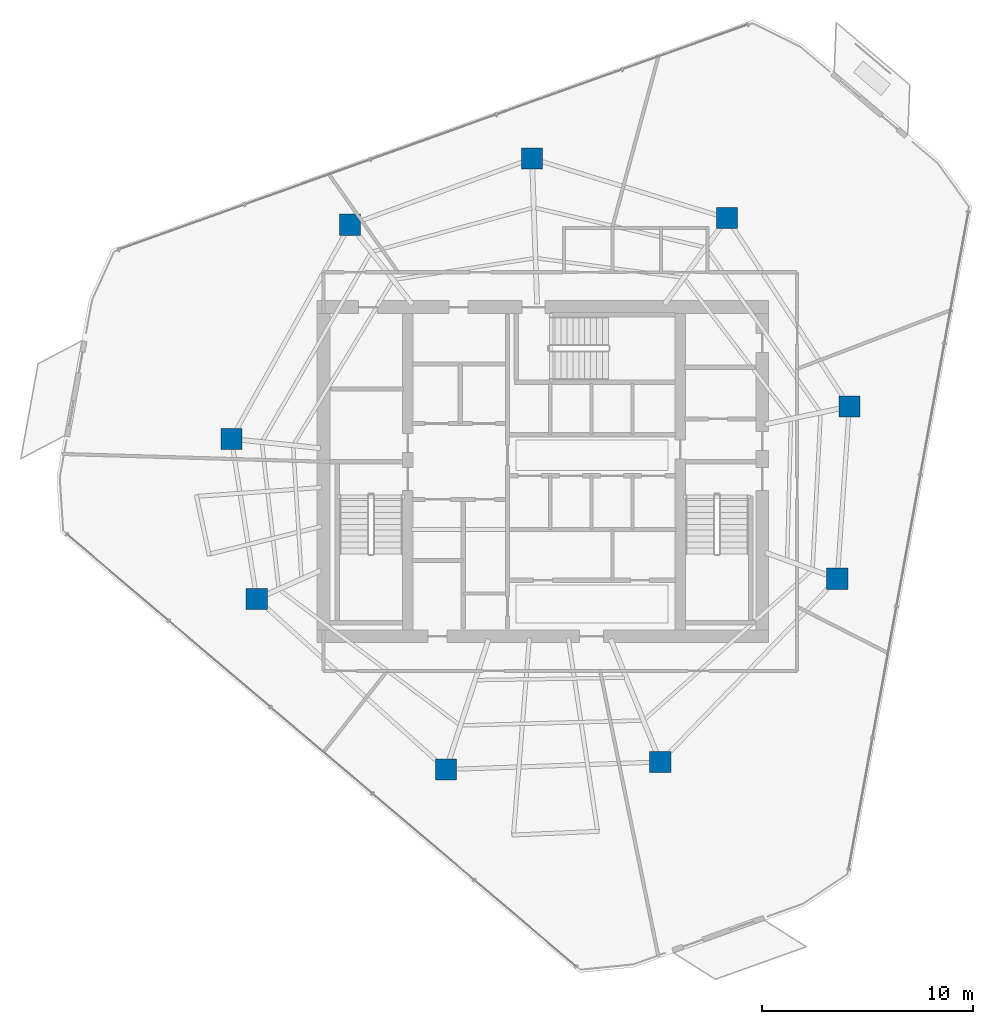
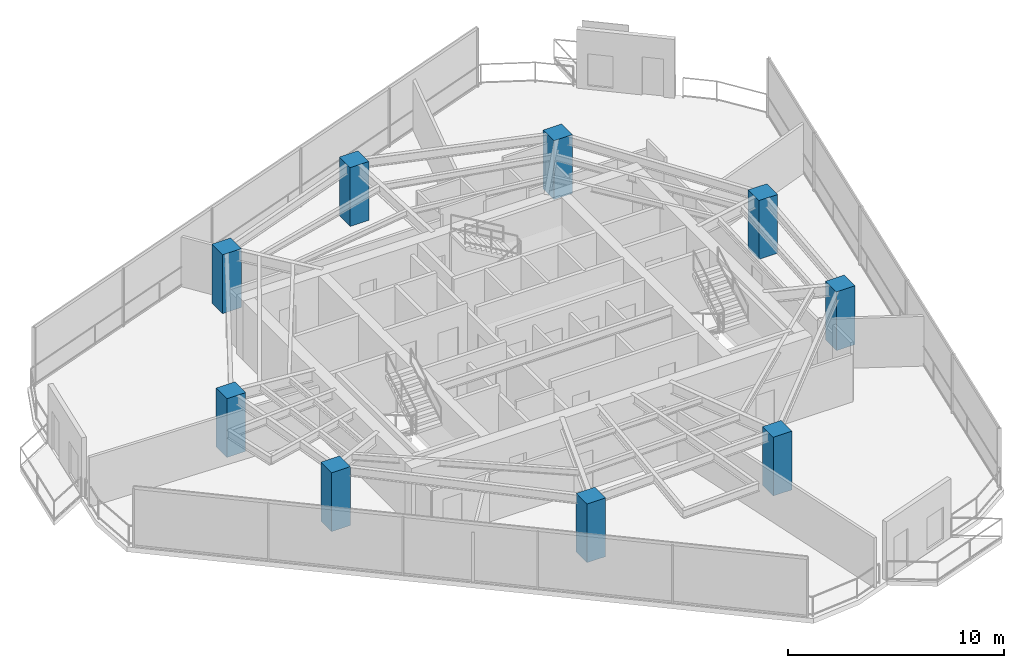
# One storey, part 1 of 21: 9 columns.
"""IFC4 building model written with IfcOpenShell, lengths in metres."""

from ifc_helpers import new_model, si_unit, direction, frame, origin, origin_2d, place, context, subcontext, project, spatial, rectangle, extrude, material, material_profile, profile_set, type_object, element, save


model = new_model("IFC4")

# Units and contexts
model_context = context("Model", 3, precision=1e-05, world=origin(), true_north=direction((0.0, 1.0)))
body_context = subcontext(model_context, "Body", "Model", "MODEL_VIEW")
ifc_project = project(units=[si_unit("LENGTHUNIT", "METRE"), si_unit("AREAUNIT", "SQUARE_METRE"), si_unit("VOLUMEUNIT", "CUBIC_METRE"), si_unit("PLANEANGLEUNIT", "RADIAN"), si_unit("MASSUNIT", "GRAM", prefix="KILO")], contexts=[model_context])

# Site, building, storey
site_placement = place(None, origin())
site = spatial("IfcSite", under=ifc_project, at=site_placement, CompositionType="ELEMENT")
building_placement = place(site_placement, origin())
building = spatial("IfcBuilding", under=site, at=building_placement, Name="Qarnah Convention Tower", CompositionType="ELEMENT")
storey_placement = place(building_placement, frame((0.0, 0.0, 140.10009765625)))
storey = spatial("IfcBuildingStorey", under=building, at=storey_placement, Name="L37", CompositionType="ELEMENT", Elevation=140.10009765625)

# Columns
ifc_material = material(Name="Concrete C60/75", Category="concrete")
ifc_material_profile = material_profile(ifc_material, rectangle(XDim=1.0, YDim=1.0, at=origin_2d()), Name="RC-COL-1000X1000")
ifc_profile_set = profile_set([ifc_material_profile], Name="Concrete C60/75")
column_type = type_object("IfcColumnType", Name="COL-Z3-1000", PredefinedType="COLUMN", material=ifc_profile_set)
for number, where, z_axis, x_axis, name in (
    (1, (51.72509765625, 29.487060546875, 0.0), (0.0, 0.0, 1.0), (1.0, 0.0, 0.0), "L37 plumb column PC-Z3-01"),
    (2, (45.928955078125, 38.4140625, 0.0), (0.0, 0.0, 1.0), (1.0, 0.0, 0.0), "L37 plumb column PC-Z3-02"),
    (3, (36.681884765625, 41.240966796875, 0.0), (0.0, 0.0, 1.0), (1.0, 0.0, 0.0), "L37 plumb column PC-Z3-03"),
    (4, (28.056884765625, 38.10205078125, 0.0), (0.0, 0.0, 1.0), (1.0, 0.0, 0.0), "L37 plumb column PC-Z3-04"),
    (5, (22.430908203125, 27.951904296875, 0.0), (0.0, 0.0, 1.0), (1.0, 0.0, 0.0), "L37 plumb column PC-Z3-05"),
    (6, (23.634033203125, 20.360107421875, 0.0), (0.0, 0.0, 1.0), (1.0, 0.0, 0.0), "L37 plumb column PC-Z3-06"),
    (7, (32.611083984375, 12.277099609375, 0.0), (0.0, 0.0, 1.0), (1.0, 0.0, 0.0), "L37 plumb column PC-Z3-07"),
    (8, (42.762939453125, 12.631103515625, 0.0), (0.0, 0.0, 1.0), (1.0, 0.0, 0.0), "L37 plumb column PC-Z3-08"),
    (9, (51.154052734375, 21.321044921875, 0.0), (0.0, 0.0, 1.0), (1.0, 0.0, 0.0), "L37 plumb column PC-Z3-09"),
):
    element("IfcColumn", number, at=place(storey_placement, frame(where, z_axis=z_axis, x_axis=x_axis)), inside=storey, type_object=column_type, Name=name, PredefinedType="COLUMN", context=body_context, shape_type="SweptSolid", body=[
        extrude(rectangle(XDim=1.0, YDim=1.0, at=origin_2d()), origin(), (0.0, 0.0, 1.0), 3.31982421875),
    ])

save(model, "model.ifc")
